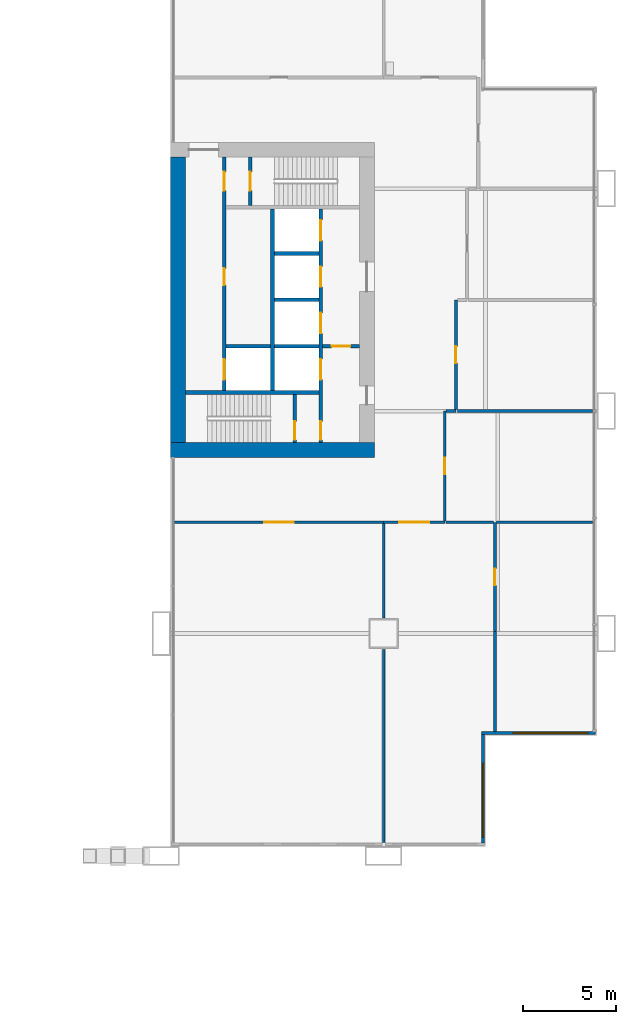
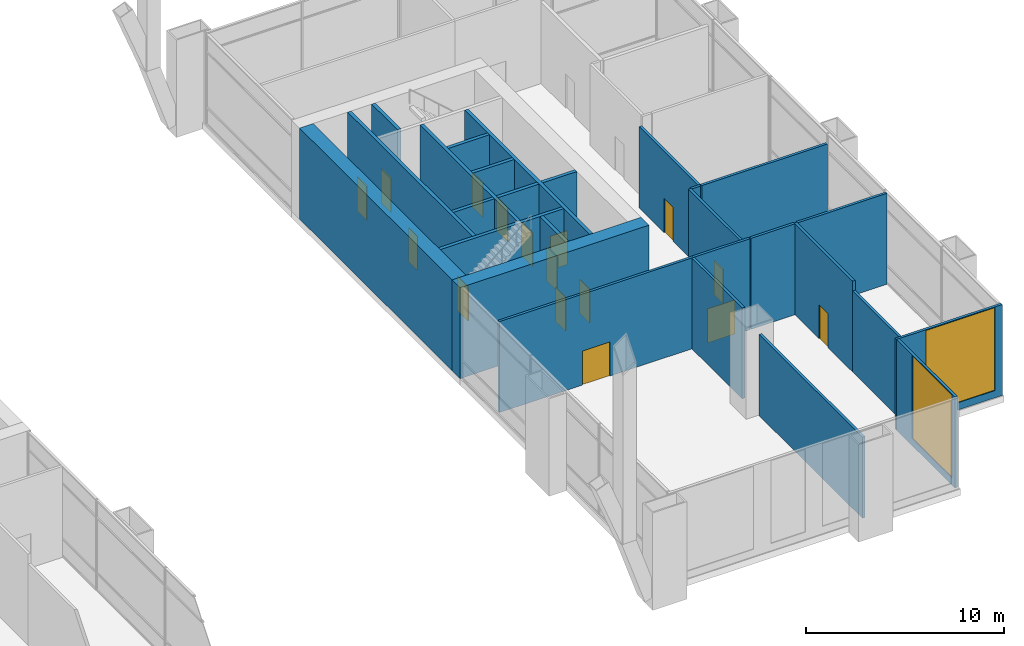
# One storey, part 24 of 30: 27 walls, 16 doors, 2 windows, 18 openings.
"""IFC4 building model written with IfcOpenShell, lengths in metres."""

from ifc_helpers import new_model, si_unit, direction, frame, frame_2d, origin, place, context, subcontext, project, spatial, rectangle, extrude, material, layer, layer_set, type_object, element, fill, save


model = new_model("IFC4")

# Units and contexts
model_context = context("Model", 3, precision=1e-05, world=origin(), true_north=direction((0.0, 1.0)))
body_context = subcontext(model_context, "Body", "Model", "MODEL_VIEW")
ifc_project = project(units=[si_unit("LENGTHUNIT", "METRE"), si_unit("AREAUNIT", "SQUARE_METRE"), si_unit("VOLUMEUNIT", "CUBIC_METRE"), si_unit("PLANEANGLEUNIT", "RADIAN"), si_unit("MASSUNIT", "GRAM", prefix="KILO")], contexts=[model_context])

# Site, building, storey
site_placement = place(None, origin())
site = spatial("IfcSite", under=ifc_project, at=site_placement, CompositionType="ELEMENT")
building_placement = place(site_placement, origin())
building = spatial("IfcBuilding", under=site, at=building_placement, Name="Kitamizu Gate Tower and Museum", CompositionType="ELEMENT")
storey_placement = place(building_placement, frame((0.0, 0.0, 6.0)))
storey = spatial("IfcBuildingStorey", under=building, at=storey_placement, Name="L01", CompositionType="ELEMENT", Elevation=6.0)

# Walls
ifc_material_1 = material(Name="Concrete Fc60", Category="concrete")
ifc_layer_1 = layer(ifc_material_1, 0.800048828125)
ifc_layer_set_1 = layer_set([ifc_layer_1], Name="Concrete Fc60")
wall_type_1 = type_object("IfcWallType", Name="Core wall 800", PredefinedType="SHEAR", material=ifc_layer_set_1)
wall_1_placement = place(storey_placement, frame((59.5, 21.89990234375, 0.0), z_axis=(0.0, 0.0, 1.0), x_axis=(-1.0, 0.0, 0.0)))
element("IfcWall", 1, at=wall_1_placement, inside=storey, type_object=wall_type_1, Name="Core wall ES", PredefinedType="SHEAR", context=body_context, shape_type="SweptSolid", body=[
    extrude(rectangle(XDim=11.0, YDim=0.800048828125, at=frame_2d((5.5, 0.0))), origin(), (0.0, 0.0, 1.0), 5.60009765625),
])
wall_2_placement = place(storey_placement, frame((48.89990234375, 22.300048828125, 0.0), z_axis=(0.0, 0.0, 1.0), x_axis=(0.0, 1.0, 0.0)))
element("IfcWall", 2, at=wall_2_placement, inside=storey, type_object=wall_type_1, Name="Core wall EARC", PredefinedType="SHEAR", context=body_context, shape_type="SweptSolid", body=[
    extrude(rectangle(XDim=15.39990234375, YDim=0.800048828125, at=frame_2d((7.699951171875, 0.0))), origin(), (0.0, 0.0, 1.0), 5.60009765625),
])

# Wall, opening, door
ifc_material_2 = material(Name="Gypsum board on galvanised stud")
ifc_layer_2 = layer(ifc_material_2, 0.14990234375)
ifc_layer_set_2 = layer_set([ifc_layer_2], Name="Gypsum board on galvanised stud")
wall_type_2 = type_object("IfcWallType", Name="Partition 150", PredefinedType="PARTITIONING", material=ifc_layer_set_2)
wall_3_placement = place(storey_placement, frame((48.719970703125, 18.0, 0.0), z_axis=(0.0, 0.0, 1.0), x_axis=(1.0, 0.0, 0.0)))
wall_3 = element("IfcWall", 3, at=wall_3_placement, inside=storey, type_object=wall_type_2, Name="Partition L01-013", PredefinedType="PARTITIONING", context=body_context, shape_type="SweptSolid", body=[
    extrude(rectangle(XDim=11.280029296875, YDim=0.14990234375, at=frame_2d((5.64013671875, 0.0))), origin(), (0.0, 0.0, 1.0), 5.60009765625),
])
opening_1_placement = place(wall_3_placement, frame((4.840087890625, 0.0, 0.0)))
opening_1 = element("IfcOpeningElement", 4, at=opening_1_placement, cuts=wall_3, Name="Opening L01-001", PredefinedType="OPENING", context=body_context, shape_type="SweptSolid", body=[
    extrude(rectangle(XDim=1.60009765625, YDim=2.10009765625, at=frame_2d((0.800048828125, 1.050048828125))), frame((0.0, 0.0849609375, 0.0), z_axis=(0.0, -1.0, 0.0), x_axis=(1.0, 0.0, 0.0)), (0.0, 0.0, 1.0), 0.169921875),
])
ifc_material_3 = material(Name="Timber door set", Category="wood")
door_type_1 = type_object("IfcDoorType", Name="Double door 1600", OperationType="DOUBLE_DOOR_SINGLE_SWING", PredefinedType="DOOR", material=ifc_material_3)
door_1_placement = place(opening_1_placement, origin())
door_1 = element("IfcDoor", 5, at=door_1_placement, inside=storey, type_object=door_type_1, Name="Double door L01-001", OperationType="DOUBLE_DOOR_SINGLE_SWING", OverallHeight=2.10009765625, OverallWidth=1.60009765625, PredefinedType="DOOR", context=body_context, shape_type="SweptSolid", body=[
    extrude(rectangle(XDim=1.60009765625, YDim=2.10009765625, at=frame_2d((0.800048828125, 1.050048828125))), frame((0.0, 0.02490234375, 0.0), z_axis=(0.0, -1.0, 0.0), x_axis=(1.0, 0.0, 0.0)), (0.0, 0.0, 1.0), 0.050048828125),
])
fill(opening_1, door_1)

wall_4_placement = place(storey_placement, frame((60.0, 18.0, 0.0), z_axis=(0.0, 0.0, 1.0), x_axis=(1.0, 0.0, 0.0)))
wall_4 = element("IfcWall", 6, at=wall_4_placement, inside=storey, type_object=wall_type_2, Name="Partition L01-014", PredefinedType="PARTITIONING", context=body_context, shape_type="SweptSolid", body=[
    extrude(rectangle(XDim=3.300048828125, YDim=0.14990234375, at=frame_2d((1.64990234375, 0.0))), origin(), (0.0, 0.0, 1.0), 5.60009765625),
])
opening_2_placement = place(wall_4_placement, frame((0.85009765625, 0.0, 0.0)))
opening_2 = element("IfcOpeningElement", 7, at=opening_2_placement, cuts=wall_4, Name="Opening L01-002", PredefinedType="OPENING", context=body_context, shape_type="SweptSolid", body=[
    extrude(rectangle(XDim=1.60009765625, YDim=2.10009765625, at=frame_2d((0.800048828125, 1.050048828125))), frame((0.0, 0.0849609375, 0.0), z_axis=(0.0, -1.0, 0.0), x_axis=(1.0, 0.0, 0.0)), (0.0, 0.0, 1.0), 0.169921875),
])
door_2_placement = place(opening_2_placement, origin())
door_2 = element("IfcDoor", 8, at=door_2_placement, inside=storey, type_object=door_type_1, Name="Double door L01-002", OperationType="DOUBLE_DOOR_SINGLE_SWING", OverallHeight=2.10009765625, OverallWidth=1.60009765625, PredefinedType="DOOR", context=body_context, shape_type="SweptSolid", body=[
    extrude(rectangle(XDim=1.60009765625, YDim=2.10009765625, at=frame_2d((0.800048828125, 1.050048828125))), frame((0.0, 0.02490234375, 0.0), z_axis=(0.0, -1.0, 0.0), x_axis=(1.0, 0.0, 0.0)), (0.0, 0.0, 1.0), 0.050048828125),
])
fill(opening_2, door_2)

wall_5_placement = place(storey_placement, frame((63.300048828125, 18.074951171875, 0.0), z_axis=(0.0, 0.0, 1.0), x_axis=(0.0, 1.0, 0.0)))
wall_5 = element("IfcWall", 9, at=wall_5_placement, inside=storey, type_object=wall_type_2, Name="Partition L01-015", PredefinedType="PARTITIONING", context=body_context, shape_type="SweptSolid", body=[
    extrude(rectangle(XDim=5.925048828125, YDim=0.14990234375, at=frame_2d((2.96240234375, 0.0))), origin(), (0.0, 0.0, 1.0), 5.0),
])
opening_3_placement = place(wall_5_placement, frame((2.512451171875, 0.0, 0.0)))
opening_3 = element("IfcOpeningElement", 10, at=opening_3_placement, cuts=wall_5, Name="Opening L01-004", PredefinedType="OPENING", context=body_context, shape_type="SweptSolid", body=[
    extrude(rectangle(XDim=0.89990234375, YDim=2.10009765625, at=frame_2d((0.449951171875, 1.050048828125))), frame((0.0, 0.0849609375, 0.0), z_axis=(0.0, -1.0, 0.0), x_axis=(1.0, 0.0, 0.0)), (0.0, 0.0, 1.0), 0.169921875),
])
ifc_material_4 = material(Name="Timber door set", Category="wood")
door_type_2 = type_object("IfcDoorType", Name="Room door 900", OperationType="NOTDEFINED", PredefinedType="DOOR", material=ifc_material_4)
door_3_placement = place(opening_3_placement, frame((0.89990234375, 0.0, 0.0), x_axis=(-1.0, 0.0, 0.0)))
door_3 = element("IfcDoor", 11, at=door_3_placement, inside=storey, type_object=door_type_2, Name="Door L01-004", OperationType="SINGLE_SWING_RIGHT", OverallHeight=2.10009765625, OverallWidth=0.89990234375, PredefinedType="DOOR", context=body_context, shape_type="SweptSolid", body=[
    extrude(rectangle(XDim=0.89990234375, YDim=2.10009765625, at=frame_2d((0.449951171875, 1.050048828125))), frame((0.0, 0.02490234375, 0.0), z_axis=(0.0, -1.0, 0.0), x_axis=(1.0, 0.0, 0.0)), (0.0, 0.0, 1.0), 0.050048828125),
])
fill(opening_3, door_3)

# Wall
wall_6_placement = place(storey_placement, frame((63.375, 24.0, 0.0), z_axis=(0.0, 0.0, 1.0), x_axis=(1.0, 0.0, 0.0)))
element("IfcWall", 12, at=wall_6_placement, inside=storey, type_object=wall_type_2, Name="Partition L01-016", PredefinedType="PARTITIONING", context=body_context, shape_type="SweptSolid", body=[
    extrude(rectangle(XDim=0.52490234375, YDim=0.14990234375, at=frame_2d((0.262451171875, 0.0))), origin(), (0.0, 0.0, 1.0), 5.0),
])

# Wall, opening, door
wall_7_placement = place(storey_placement, frame((63.89990234375, 24.074951171875, 0.0), z_axis=(0.0, 0.0, 1.0), x_axis=(0.0, 1.0, 0.0)))
wall_7 = element("IfcWall", 13, at=wall_7_placement, inside=storey, type_object=wall_type_2, Name="Partition L01-017", PredefinedType="PARTITIONING", context=body_context, shape_type="SweptSolid", body=[
    extrude(rectangle(XDim=5.925048828125, YDim=0.14990234375, at=frame_2d((2.96240234375, 0.0))), origin(), (0.0, 0.0, 1.0), 5.0),
])
opening_4_placement = place(wall_7_placement, frame((2.512451171875, 0.0, 0.0)))
opening_4 = element("IfcOpeningElement", 14, at=opening_4_placement, cuts=wall_7, Name="Opening L01-005", PredefinedType="OPENING", context=body_context, shape_type="SweptSolid", body=[
    extrude(rectangle(XDim=0.89990234375, YDim=2.10009765625, at=frame_2d((0.449951171875, 1.050048828125))), frame((0.0, 0.0849609375, 0.0), z_axis=(0.0, -1.0, 0.0), x_axis=(1.0, 0.0, 0.0)), (0.0, 0.0, 1.0), 0.169921875),
])
door_4_placement = place(opening_4_placement, frame((0.89990234375, 0.0, 0.0), x_axis=(-1.0, 0.0, 0.0)))
door_4 = element("IfcDoor", 15, at=door_4_placement, inside=storey, type_object=door_type_2, Name="Door L01-005", OperationType="SINGLE_SWING_LEFT", OverallHeight=2.10009765625, OverallWidth=0.89990234375, PredefinedType="DOOR", context=body_context, shape_type="SweptSolid", body=[
    extrude(rectangle(XDim=0.89990234375, YDim=2.10009765625, at=frame_2d((0.449951171875, 1.050048828125))), frame((0.0, 0.02490234375, 0.0), z_axis=(0.0, -1.0, 0.0), x_axis=(1.0, 0.0, 0.0)), (0.0, 0.0, 1.0), 0.050048828125),
])
fill(opening_4, door_4)

# Walls
wall_8_placement = place(storey_placement, frame((60.0, 0.719970703125, 0.0), z_axis=(0.0, 0.0, 1.0), x_axis=(0.0, 1.0, 0.0)))
element("IfcWall", 16, at=wall_8_placement, inside=storey, type_object=wall_type_2, Name="Partition L01-024", PredefinedType="PARTITIONING", context=body_context, shape_type="SweptSolid", body=[
    extrude(rectangle(XDim=10.429931640625, YDim=0.14990234375, at=frame_2d((5.21484375, 0.0))), origin(), (0.0, 0.0, 1.0), 5.0),
])
wall_9_placement = place(storey_placement, frame((60.0, 12.85009765625, 0.0), z_axis=(0.0, 0.0, 1.0), x_axis=(0.0, 1.0, 0.0)))
element("IfcWall", 17, at=wall_9_placement, inside=storey, type_object=wall_type_2, Name="Partition L01-025", PredefinedType="PARTITIONING", context=body_context, shape_type="SweptSolid", body=[
    extrude(rectangle(XDim=5.074951171875, YDim=0.14990234375, at=frame_2d((2.53759765625, 0.0))), origin(), (0.0, 0.0, 1.0), 5.60009765625),
])
wall_10_placement = place(storey_placement, frame((66.0, 6.719970703125, 0.0), z_axis=(0.0, 0.0, 1.0), x_axis=(0.0, 1.0, 0.0)))
element("IfcWall", 18, at=wall_10_placement, inside=storey, type_object=wall_type_2, Name="Partition L01-026", PredefinedType="PARTITIONING", context=body_context, shape_type="SweptSolid", body=[
    extrude(rectangle(XDim=5.380126953125, YDim=0.14990234375, at=frame_2d((2.68994140625, 0.0))), origin(), (0.0, 0.0, 1.0), 5.0),
])

# Wall, opening, door
wall_11_placement = place(storey_placement, frame((66.0, 12.10009765625, 0.0), z_axis=(0.0, 0.0, 1.0), x_axis=(0.0, 1.0, 0.0)))
wall_11 = element("IfcWall", 19, at=wall_11_placement, inside=storey, type_object=wall_type_2, Name="Partition L01-027", PredefinedType="PARTITIONING", context=body_context, shape_type="SweptSolid", body=[
    extrude(rectangle(XDim=5.89990234375, YDim=0.14990234375, at=frame_2d((2.949951171875, 0.0))), origin(), (0.0, 0.0, 1.0), 5.60009765625),
])
opening_5_placement = place(wall_11_placement, frame((2.5, 0.0, 0.0)))
opening_5 = element("IfcOpeningElement", 20, at=opening_5_placement, cuts=wall_11, Name="Opening L01-003", PredefinedType="OPENING", context=body_context, shape_type="SweptSolid", body=[
    extrude(rectangle(XDim=0.89990234375, YDim=2.10009765625, at=frame_2d((0.449951171875, 1.050048828125))), frame((0.0, 0.0849609375, 0.0), z_axis=(0.0, -1.0, 0.0), x_axis=(1.0, 0.0, 0.0)), (0.0, 0.0, 1.0), 0.169921875),
])
door_5_placement = place(opening_5_placement, frame((0.89990234375, 0.0, 0.0), x_axis=(-1.0, 0.0, 0.0)))
door_5 = element("IfcDoor", 21, at=door_5_placement, inside=storey, type_object=door_type_2, Name="Door L01-003", OperationType="SINGLE_SWING_LEFT", OverallHeight=2.10009765625, OverallWidth=0.89990234375, PredefinedType="DOOR", context=body_context, shape_type="SweptSolid", body=[
    extrude(rectangle(XDim=0.89990234375, YDim=2.10009765625, at=frame_2d((0.449951171875, 1.050048828125))), frame((0.0, 0.02490234375, 0.0), z_axis=(0.0, -1.0, 0.0), x_axis=(1.0, 0.0, 0.0)), (0.0, 0.0, 1.0), 0.050048828125),
])
fill(opening_5, door_5)

# Walls
wall_12_placement = place(storey_placement, frame((65.925048828125, 18.0, 0.0), z_axis=(0.0, 0.0, 1.0), x_axis=(-1.0, 0.0, 0.0)))
element("IfcWall", 22, at=wall_12_placement, inside=storey, type_object=wall_type_2, Name="Partition L01-028", PredefinedType="PARTITIONING", context=body_context, shape_type="SweptSolid", body=[
    extrude(rectangle(XDim=2.550048828125, YDim=0.14990234375, at=frame_2d((1.27490234375, 0.0))), origin(), (0.0, 0.0, 1.0), 5.60009765625),
])
wall_13_placement = place(storey_placement, frame((71.280029296875, 18.0, 0.0), z_axis=(0.0, 0.0, 1.0), x_axis=(-1.0, 0.0, 0.0)))
element("IfcWall", 23, at=wall_13_placement, inside=storey, type_object=wall_type_2, Name="Partition L01-029", PredefinedType="PARTITIONING", context=body_context, shape_type="SweptSolid", body=[
    extrude(rectangle(XDim=5.205078125, YDim=0.14990234375, at=frame_2d((2.6025390625, 0.0))), origin(), (0.0, 0.0, 1.0), 5.60009765625),
])
wall_14_placement = place(storey_placement, frame((71.280029296875, 24.0, 0.0), z_axis=(0.0, 0.0, 1.0), x_axis=(-1.0, 0.0, 0.0)))
element("IfcWall", 24, at=wall_14_placement, inside=storey, type_object=wall_type_2, Name="Partition L01-030", PredefinedType="PARTITIONING", context=body_context, shape_type="SweptSolid", body=[
    extrude(rectangle(XDim=7.304931640625, YDim=0.14990234375, at=frame_2d((3.65234375, 0.0))), origin(), (0.0, 0.0, 1.0), 5.0),
])

# Wall, openings, doors
ifc_material_5 = material(Name="Concrete Fc42", Category="concrete")
ifc_layer_3 = layer(ifc_material_5, 0.199951171875)
ifc_layer_set_3 = layer_set([ifc_layer_3], Name="Concrete Fc42")
wall_type_3 = type_object("IfcWallType", Name="Shaft wall 200", PredefinedType="SOLIDWALL", material=ifc_layer_set_3)
wall_15_placement = place(storey_placement, frame((56.60009765625, 22.300048828125, 0.0), z_axis=(0.0, 0.0, 1.0), x_axis=(0.0, 1.0, 0.0)))
wall_15 = element("IfcWall", 25, at=wall_15_placement, inside=storey, type_object=wall_type_3, Name="Shaft wall EWEST", PredefinedType="SOLIDWALL", context=body_context, shape_type="SweptSolid", body=[
    extrude(rectangle(XDim=12.599853515625, YDim=0.199951171875, at=frame_2d((6.2998046875, 0.0))), origin(), (0.0, 0.0, 1.0), 5.60009765625),
])
opening_6_placement = place(wall_15_placement, frame((3.39990234375, 0.0, 0.0)))
opening_6 = element("IfcOpeningElement", 26, at=opening_6_placement, cuts=wall_15, Name="Opening LD", PredefinedType="OPENING", context=body_context, shape_type="SweptSolid", body=[
    extrude(rectangle(XDim=1.10009765625, YDim=2.10009765625, at=frame_2d((0.550048828125, 1.050048828125))), frame((0.0, 0.10986328125, 0.0), z_axis=(0.0, -1.0, 0.0), x_axis=(1.0, 0.0, 0.0)), (0.0, 0.0, 1.0), 0.219970703125),
])
opening_7_placement = place(wall_15_placement, frame((5.89990234375, 0.0, 0.0)))
opening_7 = element("IfcOpeningElement", 27, at=opening_7_placement, cuts=wall_15, Name="Opening LD", PredefinedType="OPENING", context=body_context, shape_type="SweptSolid", body=[
    extrude(rectangle(XDim=1.10009765625, YDim=2.10009765625, at=frame_2d((0.550048828125, 1.050048828125))), frame((0.0, 0.10986328125, 0.0), z_axis=(0.0, -1.0, 0.0), x_axis=(1.0, 0.0, 0.0)), (0.0, 0.0, 1.0), 0.219970703125),
])
opening_8_placement = place(wall_15_placement, frame((8.39990234375, 0.0, 0.0)))
opening_8 = element("IfcOpeningElement", 28, at=opening_8_placement, cuts=wall_15, Name="Opening LD", PredefinedType="OPENING", context=body_context, shape_type="SweptSolid", body=[
    extrude(rectangle(XDim=1.10009765625, YDim=2.10009765625, at=frame_2d((0.550048828125, 1.050048828125))), frame((0.0, 0.10986328125, 0.0), z_axis=(0.0, -1.0, 0.0), x_axis=(1.0, 0.0, 0.0)), (0.0, 0.0, 1.0), 0.219970703125),
])
opening_9_placement = place(wall_15_placement, frame((10.89990234375, 0.0, 0.0)))
opening_9 = element("IfcOpeningElement", 29, at=opening_9_placement, cuts=wall_15, Name="Opening LD", PredefinedType="OPENING", context=body_context, shape_type="SweptSolid", body=[
    extrude(rectangle(XDim=1.10009765625, YDim=2.10009765625, at=frame_2d((0.550048828125, 1.050048828125))), frame((0.0, 0.10986328125, 0.0), z_axis=(0.0, -1.0, 0.0), x_axis=(1.0, 0.0, 0.0)), (0.0, 0.0, 1.0), 0.219970703125),
])
opening_10_placement = place(wall_15_placement, frame((0.14990234375, 0.0, 0.0)))
opening_10 = element("IfcOpeningElement", 30, at=opening_10_placement, cuts=wall_15, Name="Opening L01-029", PredefinedType="OPENING", context=body_context, shape_type="SweptSolid", body=[
    extrude(rectangle(XDim=1.0, YDim=2.10009765625, at=frame_2d((0.5, 1.050048828125))), frame((0.0, 0.10986328125, 0.0), z_axis=(0.0, -1.0, 0.0), x_axis=(1.0, 0.0, 0.0)), (0.0, 0.0, 1.0), 0.219970703125),
])
ifc_material_6 = material(Name="Hollow metal door set")
door_type_3 = type_object("IfcDoorType", Name="Fire door 1000", OperationType="NOTDEFINED", PredefinedType="DOOR", material=ifc_material_6)
door_6_placement = place(opening_10_placement, origin())
door_6 = element("IfcDoor", 31, at=door_6_placement, inside=storey, type_object=door_type_3, Name="Stair lobby door L01-029", OperationType="SINGLE_SWING_RIGHT", OverallHeight=2.10009765625, OverallWidth=1.0, PredefinedType="DOOR", context=body_context, shape_type="SweptSolid", body=[
    extrude(rectangle(XDim=1.0, YDim=2.10009765625, at=frame_2d((0.5, 1.050048828125))), frame((0.0, 0.02490234375, 0.0), z_axis=(0.0, -1.0, 0.0), x_axis=(1.0, 0.0, 0.0)), (0.0, 0.0, 1.0), 0.050048828125),
])
fill(opening_10, door_6)
ifc_material_7 = material(Name="Hollow metal door set")
door_type_4 = type_object("IfcDoorType", Name="Landing door 1100", OperationType="SLIDING_TO_LEFT", PredefinedType="DOOR", material=ifc_material_7)
door_7_placement = place(opening_6_placement, origin())
door_7 = element("IfcDoor", 32, at=door_7_placement, inside=storey, type_object=door_type_4, Name="Landing door EFF1", OperationType="SLIDING_TO_LEFT", OverallHeight=2.10009765625, OverallWidth=1.10009765625, PredefinedType="DOOR", context=body_context, shape_type="SweptSolid", body=[
    extrude(rectangle(XDim=1.10009765625, YDim=2.10009765625, at=frame_2d((0.550048828125, 1.050048828125))), frame((0.0, 0.02490234375, 0.0), z_axis=(0.0, -1.0, 0.0), x_axis=(1.0, 0.0, 0.0)), (0.0, 0.0, 1.0), 0.050048828125),
])
fill(opening_6, door_7)
door_8_placement = place(opening_7_placement, origin())
door_8 = element("IfcDoor", 33, at=door_8_placement, inside=storey, type_object=door_type_4, Name="Landing door EL1", OperationType="SLIDING_TO_LEFT", OverallHeight=2.10009765625, OverallWidth=1.10009765625, PredefinedType="DOOR", context=body_context, shape_type="SweptSolid", body=[
    extrude(rectangle(XDim=1.10009765625, YDim=2.10009765625, at=frame_2d((0.550048828125, 1.050048828125))), frame((0.0, 0.02490234375, 0.0), z_axis=(0.0, -1.0, 0.0), x_axis=(1.0, 0.0, 0.0)), (0.0, 0.0, 1.0), 0.050048828125),
])
fill(opening_7, door_8)
door_9_placement = place(opening_8_placement, origin())
door_9 = element("IfcDoor", 34, at=door_9_placement, inside=storey, type_object=door_type_4, Name="Landing door EL2", OperationType="SLIDING_TO_LEFT", OverallHeight=2.10009765625, OverallWidth=1.10009765625, PredefinedType="DOOR", context=body_context, shape_type="SweptSolid", body=[
    extrude(rectangle(XDim=1.10009765625, YDim=2.10009765625, at=frame_2d((0.550048828125, 1.050048828125))), frame((0.0, 0.02490234375, 0.0), z_axis=(0.0, -1.0, 0.0), x_axis=(1.0, 0.0, 0.0)), (0.0, 0.0, 1.0), 0.050048828125),
])
fill(opening_8, door_9)
door_10_placement = place(opening_9_placement, origin())
door_10 = element("IfcDoor", 35, at=door_10_placement, inside=storey, type_object=door_type_4, Name="Landing door EL3", OperationType="SLIDING_TO_LEFT", OverallHeight=2.10009765625, OverallWidth=1.10009765625, PredefinedType="DOOR", context=body_context, shape_type="SweptSolid", body=[
    extrude(rectangle(XDim=1.10009765625, YDim=2.10009765625, at=frame_2d((0.550048828125, 1.050048828125))), frame((0.0, 0.02490234375, 0.0), z_axis=(0.0, -1.0, 0.0), x_axis=(1.0, 0.0, 0.0)), (0.0, 0.0, 1.0), 0.050048828125),
])
fill(opening_9, door_10)

wall_16_placement = place(storey_placement, frame((51.39990234375, 25.10009765625, 0.0), z_axis=(0.0, 0.0, 1.0), x_axis=(0.0, 1.0, 0.0)))
wall_16 = element("IfcWall", 36, at=wall_16_placement, inside=storey, type_object=wall_type_3, Name="Shaft wall EEAST", PredefinedType="SOLIDWALL", context=body_context, shape_type="SweptSolid", body=[
    extrude(rectangle(XDim=12.599853515625, YDim=0.199951171875, at=frame_2d((6.2998046875, 0.0))), origin(), (0.0, 0.0, 1.0), 5.60009765625),
])
opening_11_placement = place(wall_16_placement, frame((0.60009765625, 0.0, 0.0)))
opening_11 = element("IfcOpeningElement", 37, at=opening_11_placement, cuts=wall_16, Name="Opening LD", PredefinedType="OPENING", context=body_context, shape_type="SweptSolid", body=[
    extrude(rectangle(XDim=1.10009765625, YDim=2.10009765625, at=frame_2d((0.550048828125, 1.050048828125))), frame((0.0, 0.10986328125, 0.0), z_axis=(0.0, -1.0, 0.0), x_axis=(1.0, 0.0, 0.0)), (0.0, 0.0, 1.0), 0.219970703125),
])
opening_12_placement = place(wall_16_placement, frame((10.800048828125, 0.0, 0.0)))
opening_12 = element("IfcOpeningElement", 38, at=opening_12_placement, cuts=wall_16, Name="Opening L01-030", PredefinedType="OPENING", context=body_context, shape_type="SweptSolid", body=[
    extrude(rectangle(XDim=1.0, YDim=2.10009765625, at=frame_2d((0.5, 1.050048828125))), frame((0.0, 0.10986328125, 0.0), z_axis=(0.0, -1.0, 0.0), x_axis=(1.0, 0.0, 0.0)), (0.0, 0.0, 1.0), 0.219970703125),
])
opening_13_placement = place(wall_16_placement, frame((5.699951171875, 0.0, 0.0)))
opening_13 = element("IfcOpeningElement", 39, at=opening_13_placement, cuts=wall_16, Name="Opening L01-036", PredefinedType="OPENING", context=body_context, shape_type="SweptSolid", body=[
    extrude(rectangle(XDim=0.89990234375, YDim=2.10009765625, at=frame_2d((0.449951171875, 1.050048828125))), frame((0.0, 0.10986328125, 0.0), z_axis=(0.0, -1.0, 0.0), x_axis=(1.0, 0.0, 0.0)), (0.0, 0.0, 1.0), 0.219970703125),
])
door_11_placement = place(opening_12_placement, frame((1.0, 0.0, 0.0), x_axis=(-1.0, 0.0, 0.0)))
door_11 = element("IfcDoor", 40, at=door_11_placement, inside=storey, type_object=door_type_3, Name="Stair lobby door L01-030", OperationType="SINGLE_SWING_LEFT", OverallHeight=2.10009765625, OverallWidth=1.0, PredefinedType="DOOR", context=body_context, shape_type="SweptSolid", body=[
    extrude(rectangle(XDim=1.0, YDim=2.10009765625, at=frame_2d((0.5, 1.050048828125))), frame((0.0, 0.02490234375, 0.0), z_axis=(0.0, -1.0, 0.0), x_axis=(1.0, 0.0, 0.0)), (0.0, 0.0, 1.0), 0.050048828125),
])
fill(opening_12, door_11)
door_12_placement = place(opening_11_placement, origin())
door_12 = element("IfcDoor", 41, at=door_12_placement, inside=storey, type_object=door_type_4, Name="Landing door ESV1", OperationType="SLIDING_TO_LEFT", OverallHeight=2.10009765625, OverallWidth=1.10009765625, PredefinedType="DOOR", context=body_context, shape_type="SweptSolid", body=[
    extrude(rectangle(XDim=1.10009765625, YDim=2.10009765625, at=frame_2d((0.550048828125, 1.050048828125))), frame((0.0, 0.02490234375, 0.0), z_axis=(0.0, -1.0, 0.0), x_axis=(1.0, 0.0, 0.0)), (0.0, 0.0, 1.0), 0.050048828125),
])
fill(opening_11, door_12)
ifc_material_8 = material(Name="Timber door set", Category="wood")
door_type_5 = type_object("IfcDoorType", Name="Service door 900", OperationType="NOTDEFINED", PredefinedType="DOOR", material=ifc_material_8)
door_13_placement = place(opening_13_placement, frame((0.89990234375, 0.0, 0.0), x_axis=(-1.0, 0.0, 0.0)))
door_13 = element("IfcDoor", 42, at=door_13_placement, inside=storey, type_object=door_type_5, Name="Service door L01-036", OperationType="SINGLE_SWING_LEFT", OverallHeight=2.10009765625, OverallWidth=0.89990234375, PredefinedType="DOOR", context=body_context, shape_type="SweptSolid", body=[
    extrude(rectangle(XDim=0.89990234375, YDim=2.10009765625, at=frame_2d((0.449951171875, 1.050048828125))), frame((0.0, 0.02490234375, 0.0), z_axis=(0.0, -1.0, 0.0), x_axis=(1.0, 0.0, 0.0)), (0.0, 0.0, 1.0), 0.050048828125),
])
fill(opening_13, door_13)

# Walls
wall_17_placement = place(storey_placement, frame((54.0, 25.10009765625, 0.0), z_axis=(0.0, 0.0, 1.0), x_axis=(0.0, 1.0, 0.0)))
element("IfcWall", 43, at=wall_17_placement, inside=storey, type_object=wall_type_3, Name="Shaft wall EMID", PredefinedType="SOLIDWALL", context=body_context, shape_type="SweptSolid", body=[
    extrude(rectangle(XDim=9.7998046875, YDim=0.199951171875, at=frame_2d((4.89990234375, 0.0))), origin(), (0.0, 0.0, 1.0), 5.60009765625),
])
wall_18_placement = place(storey_placement, frame((56.5, 25.0, 0.0), z_axis=(0.0, 0.0, 1.0), x_axis=(-1.0, 0.0, 0.0)))
element("IfcWall", 44, at=wall_18_placement, inside=storey, type_object=wall_type_3, Name="Shaft wall ESB", PredefinedType="SOLIDWALL", context=body_context, shape_type="SweptSolid", body=[
    extrude(rectangle(XDim=7.199951171875, YDim=0.199951171875, at=frame_2d((3.60009765625, 0.0))), origin(), (0.0, 0.0, 1.0), 5.60009765625),
])

# Wall, opening, door
wall_19_placement = place(storey_placement, frame((58.699951171875, 27.5, 0.0), z_axis=(0.0, 0.0, 1.0), x_axis=(-1.0, 0.0, 0.0)))
wall_19 = element("IfcWall", 45, at=wall_19_placement, inside=storey, type_object=wall_type_3, Name="Shaft wall EFFN", PredefinedType="SOLIDWALL", context=body_context, shape_type="SweptSolid", body=[
    extrude(rectangle(XDim=2.0, YDim=0.199951171875, at=frame_2d((1.0, 0.0))), origin(), (0.0, 0.0, 1.0), 5.60009765625),
])
opening_14_placement = place(wall_19_placement, frame((0.5, 0.0, 0.0)))
opening_14 = element("IfcOpeningElement", 46, at=opening_14_placement, cuts=wall_19, Name="Opening L01-032", PredefinedType="OPENING", context=body_context, shape_type="SweptSolid", body=[
    extrude(rectangle(XDim=1.0, YDim=2.10009765625, at=frame_2d((0.5, 1.050048828125))), frame((0.0, 0.10986328125, 0.0), z_axis=(0.0, -1.0, 0.0), x_axis=(1.0, 0.0, 0.0)), (0.0, 0.0, 1.0), 0.219970703125),
])
door_14_placement = place(opening_14_placement, origin())
door_14 = element("IfcDoor", 47, at=door_14_placement, inside=storey, type_object=door_type_3, Name="Fire-fighting lobby door L01-032", OperationType="SINGLE_SWING_RIGHT", OverallHeight=2.10009765625, OverallWidth=1.0, PredefinedType="DOOR", context=body_context, shape_type="SweptSolid", body=[
    extrude(rectangle(XDim=1.0, YDim=2.10009765625, at=frame_2d((0.5, 1.050048828125))), frame((0.0, 0.02490234375, 0.0), z_axis=(0.0, -1.0, 0.0), x_axis=(1.0, 0.0, 0.0)), (0.0, 0.0, 1.0), 0.050048828125),
])
fill(opening_14, door_14)

wall_20_placement = place(storey_placement, frame((55.199951171875, 22.300048828125, 0.0), z_axis=(0.0, 0.0, 1.0), x_axis=(0.0, 1.0, 0.0)))
wall_20 = element("IfcWall", 48, at=wall_20_placement, inside=storey, type_object=wall_type_3, Name="Shaft wall ESZ", PredefinedType="SOLIDWALL", context=body_context, shape_type="SweptSolid", body=[
    extrude(rectangle(XDim=2.599853515625, YDim=0.199951171875, at=frame_2d((1.2998046875, 0.0))), origin(), (0.0, 0.0, 1.0), 5.60009765625),
])
opening_15_placement = place(wall_20_placement, frame((0.14990234375, 0.0, 0.0)))
opening_15 = element("IfcOpeningElement", 49, at=opening_15_placement, cuts=wall_20, Name="Opening L01-028", PredefinedType="OPENING", context=body_context, shape_type="SweptSolid", body=[
    extrude(rectangle(XDim=1.0, YDim=2.10009765625, at=frame_2d((0.5, 1.050048828125))), frame((0.0, 0.10986328125, 0.0), z_axis=(0.0, -1.0, 0.0), x_axis=(1.0, 0.0, 0.0)), (0.0, 0.0, 1.0), 0.219970703125),
])
door_15_placement = place(opening_15_placement, origin())
door_15 = element("IfcDoor", 50, at=door_15_placement, inside=storey, type_object=door_type_3, Name="Stair door L01-028", OperationType="SINGLE_SWING_RIGHT", OverallHeight=2.10009765625, OverallWidth=1.0, PredefinedType="DOOR", context=body_context, shape_type="SweptSolid", body=[
    extrude(rectangle(XDim=1.0, YDim=2.10009765625, at=frame_2d((0.5, 1.050048828125))), frame((0.0, 0.02490234375, 0.0), z_axis=(0.0, -1.0, 0.0), x_axis=(1.0, 0.0, 0.0)), (0.0, 0.0, 1.0), 0.050048828125),
])
fill(opening_15, door_15)

wall_21_placement = place(storey_placement, frame((52.800048828125, 35.10009765625, 0.0), z_axis=(0.0, 0.0, 1.0), x_axis=(0.0, 1.0, 0.0)))
wall_21 = element("IfcWall", 51, at=wall_21_placement, inside=storey, type_object=wall_type_3, Name="Shaft wall ENZ", PredefinedType="SOLIDWALL", context=body_context, shape_type="SweptSolid", body=[
    extrude(rectangle(XDim=2.599853515625, YDim=0.199951171875, at=frame_2d((1.2998046875, 0.0))), origin(), (0.0, 0.0, 1.0), 5.60009765625),
])
opening_16_placement = place(wall_21_placement, frame((0.800048828125, 0.0, 0.0)))
opening_16 = element("IfcOpeningElement", 52, at=opening_16_placement, cuts=wall_21, Name="Opening L01-031", PredefinedType="OPENING", context=body_context, shape_type="SweptSolid", body=[
    extrude(rectangle(XDim=1.0, YDim=2.10009765625, at=frame_2d((0.5, 1.050048828125))), frame((0.0, 0.10986328125, 0.0), z_axis=(0.0, -1.0, 0.0), x_axis=(1.0, 0.0, 0.0)), (0.0, 0.0, 1.0), 0.219970703125),
])
door_16_placement = place(opening_16_placement, frame((1.0, 0.0, 0.0), x_axis=(-1.0, 0.0, 0.0)))
door_16 = element("IfcDoor", 53, at=door_16_placement, inside=storey, type_object=door_type_3, Name="Stair door L01-031", OperationType="SINGLE_SWING_RIGHT", OverallHeight=2.10009765625, OverallWidth=1.0, PredefinedType="DOOR", context=body_context, shape_type="SweptSolid", body=[
    extrude(rectangle(XDim=1.0, YDim=2.10009765625, at=frame_2d((0.5, 1.050048828125))), frame((0.0, 0.02490234375, 0.0), z_axis=(0.0, -1.0, 0.0), x_axis=(1.0, 0.0, 0.0)), (0.0, 0.0, 1.0), 0.050048828125),
])
fill(opening_16, door_16)

# Walls
for number, where, z_axis, x_axis, name in (
    (54, (56.5, 27.5, 0.0), (0.0, 0.0, 1.0), (-1.0, 0.0, 0.0), "Shaft wall EDVW0"),
    (55, (56.5, 30.0, 0.0), (0.0, 0.0, 1.0), (-1.0, 0.0, 0.0), "Shaft wall EDVW1"),
    (56, (56.5, 32.5, 0.0), (0.0, 0.0, 1.0), (-1.0, 0.0, 0.0), "Shaft wall EDVW2"),
    (57, (53.89990234375, 27.5, 0.0), (0.0, 0.0, 1.0), (-1.0, 0.0, 0.0), "Shaft wall EDVE0"),
):
    element("IfcWall", number, at=place(storey_placement, frame(where, z_axis=z_axis, x_axis=x_axis)), inside=storey, type_object=wall_type_3, Name=name, PredefinedType="SOLIDWALL", context=body_context, shape_type="SweptSolid", body=[
        extrude(rectangle(XDim=2.39990234375, YDim=0.199951171875, at=frame_2d((1.199951171875, 0.0))), origin(), (0.0, 0.0, 1.0), 5.60009765625),
    ])

# Wall, opening, window
ifc_material_9 = material(Name="Bronze anodised aluminium frame with insulated spandrel and tinted glass", Category="aluminium")
ifc_layer_4 = layer(ifc_material_9, 0.14990234375)
ifc_layer_set_4 = layer_set([ifc_layer_4], Name="Bronze anodised aluminium frame with insulated spandrel and tinted glass")
wall_type_4 = type_object("IfcWallType", Name="WINDOW WALL 150 BRONZE FRAME EI 60", PredefinedType="ELEMENTEDWALL", material=ifc_layer_set_4)
wall_22_placement = place(storey_placement, frame((65.364990234375, 0.7099609375, 0.0), z_axis=(0.0, 0.0, 1.0), x_axis=(0.0, 1.0, 0.0)))
wall_22 = element("IfcWall", 58, at=wall_22_placement, inside=storey, type_object=wall_type_4, Name="Window wall east L01", PredefinedType="ELEMENTEDWALL", context=body_context, shape_type="SweptSolid", body=[
    extrude(rectangle(XDim=5.85009765625, YDim=0.14990234375, at=frame_2d((2.925048828125, 0.0))), origin(), (0.0, 0.0, 1.0), 5.60009765625),
])
opening_17_placement = place(wall_22_placement, frame((0.2900390625, 0.0, 0.449951171875)))
opening_17 = element("IfcOpeningElement", 59, at=opening_17_placement, cuts=wall_22, Name="Opening W22", PredefinedType="OPENING", context=body_context, shape_type="SweptSolid", body=[
    extrude(rectangle(XDim=4.0, YDim=5.10009765625, at=frame_2d((2.0, 2.550048828125))), frame((0.0, 0.0849609375, 0.0), z_axis=(0.0, -1.0, 0.0), x_axis=(1.0, 0.0, 0.0)), (0.0, 0.0, 1.0), 0.169921875),
])
ifc_material_10 = material(Name="Bronze anodised aluminium frame, tinted triple glazing", Category="aluminium")
window_type = type_object("IfcWindowType", Name="WINDOW 4000 x 5100 SILL 450", PartitioningType="SINGLE_PANEL", PredefinedType="WINDOW", material=ifc_material_10)
window_1_placement = place(opening_17_placement, origin())
window_1 = element("IfcWindow", 60, at=window_1_placement, inside=storey, type_object=window_type, Name="Window W22 L01", OverallHeight=5.10009765625, OverallWidth=4.0, PartitioningType="SINGLE_PANEL", PredefinedType="WINDOW", context=body_context, shape_type="SweptSolid", body=[
    extrude(rectangle(XDim=4.0, YDim=5.10009765625, at=frame_2d((2.0, 2.550048828125))), frame((0.0, 0.030029296875, 0.0), z_axis=(0.0, -1.0, 0.0), x_axis=(1.0, 0.0, 0.0)), (0.0, 0.0, 1.0), 0.06005859375),
])
fill(opening_17, window_1)

wall_23_placement = place(storey_placement, frame((65.2900390625, 6.635009765625, 0.0), z_axis=(0.0, 0.0, 1.0), x_axis=(1.0, 0.0, 0.0)))
wall_23 = element("IfcWall", 61, at=wall_23_placement, inside=storey, type_object=wall_type_4, Name="Window wall south L01", PredefinedType="ELEMENTEDWALL", context=body_context, shape_type="SweptSolid", body=[
    extrude(rectangle(XDim=6.14990234375, YDim=0.14990234375, at=frame_2d((3.074951171875, 0.0))), origin(), (0.0, 0.0, 1.0), 5.60009765625),
])
opening_18_placement = place(wall_23_placement, frame((1.7099609375, 0.0, 0.449951171875)))
opening_18 = element("IfcOpeningElement", 62, at=opening_18_placement, cuts=wall_23, Name="Opening W22", PredefinedType="OPENING", context=body_context, shape_type="SweptSolid", body=[
    extrude(rectangle(XDim=4.0, YDim=5.10009765625, at=frame_2d((2.0, 2.550048828125))), frame((0.0, 0.0849609375, 0.0), z_axis=(0.0, -1.0, 0.0), x_axis=(1.0, 0.0, 0.0)), (0.0, 0.0, 1.0), 0.169921875),
])
window_2_placement = place(opening_18_placement, origin())
window_2 = element("IfcWindow", 63, at=window_2_placement, inside=storey, type_object=window_type, Name="Window W22 L01", OverallHeight=5.10009765625, OverallWidth=4.0, PartitioningType="SINGLE_PANEL", PredefinedType="WINDOW", context=body_context, shape_type="SweptSolid", body=[
    extrude(rectangle(XDim=4.0, YDim=5.10009765625, at=frame_2d((2.0, 2.550048828125))), frame((0.0, 0.030029296875, 0.0), z_axis=(0.0, -1.0, 0.0), x_axis=(1.0, 0.0, 0.0)), (0.0, 0.0, 1.0), 0.06005859375),
])
fill(opening_18, window_2)

save(model, "model.ifc")
